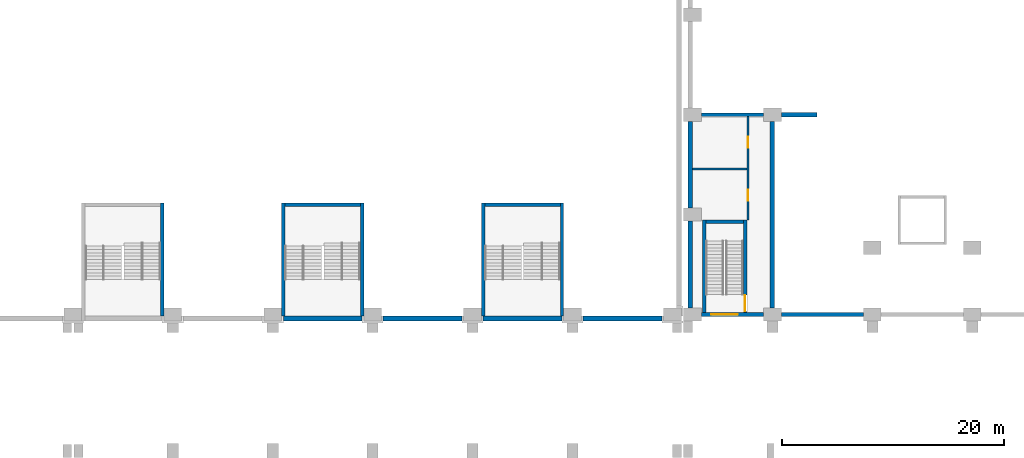
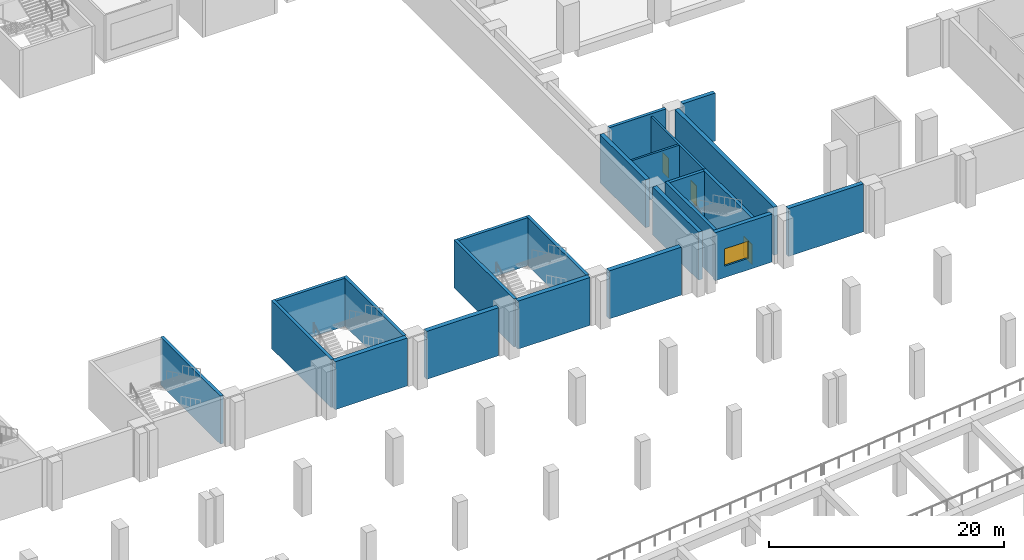
# One storey, part 35 of 67: 23 walls, 3 doors, 1 window, 4 openings.
"""IFC4 building model written with IfcOpenShell, lengths in metres."""

from ifc_helpers import new_model, si_unit, direction, frame, frame_2d, origin, place, context, subcontext, project, spatial, rectangle, extrude, material, layer, layer_set, type_object, element, fill, save


model = new_model("IFC4")

# Units and contexts
model_context = context("Model", 3, precision=1e-05, world=origin(), true_north=direction((0.0, 1.0)))
body_context = subcontext(model_context, "Body", "Model", "MODEL_VIEW")
ifc_project = project(units=[si_unit("LENGTHUNIT", "METRE"), si_unit("AREAUNIT", "SQUARE_METRE"), si_unit("VOLUMEUNIT", "CUBIC_METRE"), si_unit("PLANEANGLEUNIT", "RADIAN"), si_unit("MASSUNIT", "GRAM", prefix="KILO")], contexts=[model_context])

# Site, building, storey
site_placement = place(None, origin())
site = spatial("IfcSite", under=ifc_project, at=site_placement, CompositionType="ELEMENT")
building_placement = place(site_placement, origin())
building = spatial("IfcBuilding", under=site, at=building_placement, Name="Aravalli Gate Trade Fair Centre", CompositionType="ELEMENT")
storey_placement = place(building_placement, frame((0.0, 0.0, 5.0)))
storey = spatial("IfcBuildingStorey", under=building, at=storey_placement, Name="L01", CompositionType="ELEMENT", Elevation=5.0)

# Walls
ifc_material_1 = material(Name="Concrete M40", Category="concrete")
ifc_layer_1 = layer(ifc_material_1, 0.300048828125)
ifc_layer_set_1 = layer_set([ifc_layer_1], Name="Concrete M40")
wall_type_1 = type_object("IfcWallType", Name="Congress RC wall 300", PredefinedType="SHEAR", material=ifc_layer_set_1)
wall_1_placement = place(storey_placement, frame((107.60009765625, 64.0, 0.0), z_axis=(0.0, 0.0, 1.0), x_axis=(1.0, 0.0, 0.0)))
element("IfcWall", 1, at=wall_1_placement, inside=storey, type_object=wall_type_1, Name="Stage wing north wall W L01", PredefinedType="SHEAR", context=body_context, shape_type="SweptSolid", body=[
    extrude(rectangle(XDim=5.599853515625, YDim=0.300048828125, at=frame_2d((2.7998046875, 0.0))), origin(), (0.0, 0.0, 1.0), 5.0),
])
wall_2_placement = place(storey_placement, frame((107.85009765625, 46.199951171875, 0.0), z_axis=(0.0, 0.0, 1.0), x_axis=(0.0, 1.0, 0.0)))
element("IfcWall", 2, at=wall_2_placement, inside=storey, type_object=wall_type_1, Name="Stage Stair West wall W L01", PredefinedType="SHEAR", context=body_context, shape_type="SweptSolid", body=[
    extrude(rectangle(XDim=8.300048828125, YDim=0.300048828125, at=frame_2d((4.14990234375, 0.0))), origin(), (0.0, 0.0, 1.0), 5.0),
])

# Wall, opening, door
wall_3_placement = place(storey_placement, frame((111.550048828125, 46.199951171875, 0.0), z_axis=(0.0, 0.0, 1.0), x_axis=(0.0, 1.0, 0.0)))
wall_3 = element("IfcWall", 3, at=wall_3_placement, inside=storey, type_object=wall_type_1, Name="Stage Stair West wall E L01", PredefinedType="SHEAR", context=body_context, shape_type="SweptSolid", body=[
    extrude(rectangle(XDim=8.300048828125, YDim=0.300048828125, at=frame_2d((4.14990234375, 0.0))), origin(), (0.0, 0.0, 1.0), 5.0),
])
opening_1_placement = place(wall_3_placement, frame((0.0849609375, 0.0, 0.0)))
opening_1 = element("IfcOpeningElement", 4, at=opening_1_placement, cuts=wall_3, Name="Opening G-L01-05", PredefinedType="OPENING", context=body_context, shape_type="SweptSolid", body=[
    extrude(rectangle(XDim=1.449951171875, YDim=2.10009765625, at=frame_2d((0.72509765625, 1.050048828125))), frame((0.0, 0.159912109375, 0.0), z_axis=(0.0, -1.0, 0.0), x_axis=(1.0, 0.0, 0.0)), (0.0, 0.0, 1.0), 0.320068359375),
])
ifc_material_2 = material(Name="Steel, fire rated", Category="steel")
door_type_1 = type_object("IfcDoorType", Name="Congress fire door FD120 1450 x 2100", OperationType="SINGLE_SWING_LEFT", PredefinedType="DOOR", material=ifc_material_2)
door_1_placement = place(opening_1_placement, origin())
door_1 = element("IfcDoor", 5, at=door_1_placement, inside=storey, type_object=door_type_1, Name="Stage Stair West door L01", OperationType="SINGLE_SWING_LEFT", OverallHeight=2.10009765625, OverallWidth=1.449951171875, PredefinedType="DOOR", context=body_context, shape_type="SweptSolid", body=[
    extrude(rectangle(XDim=1.449951171875, YDim=2.10009765625, at=frame_2d((0.72509765625, 1.050048828125))), frame((0.0, 0.02490234375, 0.0), z_axis=(0.0, -1.0, 0.0), x_axis=(1.0, 0.0, 0.0)), (0.0, 0.0, 1.0), 0.050048828125),
])
fill(opening_1, door_1)

# Walls
wall_4_placement = place(storey_placement, frame((108.0, 54.35009765625, 0.0), z_axis=(0.0, 0.0, 1.0), x_axis=(1.0, 0.0, 0.0)))
element("IfcWall", 6, at=wall_4_placement, inside=storey, type_object=wall_type_1, Name="Stage Stair West wall N L01", PredefinedType="SHEAR", context=body_context, shape_type="SweptSolid", body=[
    extrude(rectangle(XDim=3.39990234375, YDim=0.300048828125, at=frame_2d((1.699951171875, 0.0))), origin(), (0.0, 0.0, 1.0), 5.0),
])
ifc_layer_2 = layer(ifc_material_1, 0.39990234375)
ifc_layer_set_2 = layer_set([ifc_layer_2], Name="Concrete M40")
wall_type_2 = type_object("IfcWallType", Name="Congress RC wall 400", PredefinedType="SHEAR", material=ifc_layer_set_2)
wall_5_placement = place(storey_placement, frame((114.0, 46.60009765625, 0.0), z_axis=(0.0, 0.0, 1.0), x_axis=(0.0, 1.0, 0.0)))
element("IfcWall", 7, at=wall_5_placement, inside=storey, type_object=wall_type_2, Name="Stage house wall line 114 L01", PredefinedType="SHEAR", context=body_context, shape_type="SweptSolid", body=[
    extrude(rectangle(XDim=16.7998046875, YDim=0.39990234375, at=frame_2d((8.39990234375, 0.0))), origin(), (0.0, 0.0, 1.0), 5.0),
])
wall_6_placement = place(storey_placement, frame((114.800048828125, 64.0, 0.0), z_axis=(0.0, 0.0, 1.0), x_axis=(1.0, 0.0, 0.0)))
element("IfcWall", 8, at=wall_6_placement, inside=storey, type_object=wall_type_2, Name="Proscenium wall W L01", PredefinedType="SHEAR", context=body_context, shape_type="SweptSolid", body=[
    extrude(rectangle(XDim=3.199951171875, YDim=0.39990234375, at=frame_2d((1.60009765625, 0.0))), origin(), (0.0, 0.0, 1.0), 5.0),
])
ifc_layer_3 = layer(ifc_material_1, 0.25, Name="Structural wall")
ifc_material_3 = material(Name="Ventilated air cavity")
ifc_layer_4 = layer(ifc_material_3, 0.050048828125, ventilated=True, Name="Ventilated cavity")
ifc_material_4 = material(Name="Terracotta rainscreen", Category="masonry")
ifc_layer_5 = layer(ifc_material_4, 0.10009765625, Name="Rainscreen cladding")
ifc_layer_set_3 = layer_set([ifc_layer_3, ifc_layer_4, ifc_layer_5], Name="Congress external wall 400")
wall_type_3 = type_object("IfcWallType", Name="Congress external wall 400", PredefinedType="SOLIDWALL", material=ifc_layer_set_3)
for number, where, z_axis, x_axis, name in (
    (9, (106.60009765625, 46.60009765625, 0.0), (0.0, 0.0, 1.0), (0.0, 1.0, 0.0), "West wall L01 bay 1"),
    (10, (106.60009765625, 55.60009765625, 0.0), (0.0, 0.0, 1.0), (0.0, 1.0, 0.0), "West wall L01 bay 2"),
):
    element("IfcWall", number, at=place(storey_placement, frame(where, z_axis=z_axis, x_axis=x_axis)), inside=storey, type_object=wall_type_3, Name=name, PredefinedType="SOLIDWALL", context=body_context, shape_type="SweptSolid", body=[
        extrude(rectangle(XDim=7.7998046875, YDim=0.39990234375, at=frame_2d((3.89990234375, 0.0))), origin(), (0.0, 0.0, 1.0), 5.0),
    ])

# Wall, opening, window
wall_7_placement = place(storey_placement, frame((107.60009765625, 46.0, 0.0), z_axis=(0.0, 0.0, 1.0), x_axis=(1.0, 0.0, 0.0)))
wall_7 = element("IfcWall", 11, at=wall_7_placement, inside=storey, type_object=wall_type_3, Name="South wall L01 bay 1", PredefinedType="SOLIDWALL", context=body_context, shape_type="SweptSolid", body=[
    extrude(rectangle(XDim=5.599853515625, YDim=0.39990234375, at=frame_2d((2.7998046875, 0.0))), origin(), (0.0, 0.0, 1.0), 5.0),
])
opening_2_placement = place(wall_7_placement, frame((0.89990234375, 0.0, 1.199951171875)))
opening_2 = element("IfcOpeningElement", 12, at=opening_2_placement, cuts=wall_7, Name="Opening GWN4", PredefinedType="OPENING", context=body_context, shape_type="SweptSolid", body=[
    extrude(rectangle(XDim=2.39990234375, YDim=1.800048828125, at=frame_2d((1.199951171875, 0.89990234375))), frame((0.0, 0.2099609375, 0.0), z_axis=(0.0, -1.0, 0.0), x_axis=(1.0, 0.0, 0.0)), (0.0, 0.0, 1.0), 0.419921875),
])
ifc_material_5 = material(Name="Aluminium and glass", Category="aluminium")
window_type = type_object("IfcWindowType", Name="Congress wing window 2400 x 1800", PartitioningType="DOUBLE_PANEL_VERTICAL", PredefinedType="WINDOW", material=ifc_material_5)
window_placement = place(opening_2_placement, origin())
window = element("IfcWindow", 13, at=window_placement, inside=storey, type_object=window_type, Name="South window L01 bay 1", OverallHeight=1.800048828125, OverallWidth=2.39990234375, PartitioningType="SINGLE_PANEL", PredefinedType="WINDOW", context=body_context, shape_type="SweptSolid", body=[
    extrude(rectangle(XDim=2.39990234375, YDim=1.800048828125, at=frame_2d((1.199951171875, 0.89990234375))), frame((0.0, 0.030029296875, 0.0), z_axis=(0.0, -1.0, 0.0), x_axis=(1.0, 0.0, 0.0)), (0.0, 0.0, 1.0), 0.06005859375),
])
fill(opening_2, window)

# Wall
wall_8_placement = place(storey_placement, frame((114.800048828125, 46.0, 0.0), z_axis=(0.0, 0.0, 1.0), x_axis=(1.0, 0.0, 0.0)))
element("IfcWall", 14, at=wall_8_placement, inside=storey, type_object=wall_type_3, Name="South wall L01 bay 2", PredefinedType="SOLIDWALL", context=body_context, shape_type="SweptSolid", body=[
    extrude(rectangle(XDim=7.39990234375, YDim=0.39990234375, at=frame_2d((3.699951171875, 0.0))), origin(), (0.0, 0.0, 1.0), 5.0),
])

# Wall, openings, doors
ifc_material_6 = material(Name="Concrete block masonry", Category="masonry")
ifc_layer_6 = layer(ifc_material_6, 0.199951171875)
ifc_layer_set_4 = layer_set([ifc_layer_6], Name="Concrete block masonry")
wall_type_4 = type_object("IfcWallType", Name="Congress partition 200", PredefinedType="PARTITIONING", material=ifc_layer_set_4)
wall_9_placement = place(storey_placement, frame((111.800048828125, 54.5, 0.0), z_axis=(0.0, 0.0, 1.0), x_axis=(0.0, 1.0, 0.0)))
wall_9 = element("IfcWall", 15, at=wall_9_placement, inside=storey, type_object=wall_type_4, Name="Wing partition W L01", PredefinedType="PARTITIONING", context=body_context, shape_type="SweptSolid", body=[
    extrude(rectangle(XDim=9.35009765625, YDim=0.199951171875, at=frame_2d((4.675048828125, 0.0))), origin(), (0.0, 0.0, 1.0), 4.699951171875),
])
opening_3_placement = place(wall_9_placement, frame((1.75, 0.0, 0.0)))
opening_3 = element("IfcOpeningElement", 16, at=opening_3_placement, cuts=wall_9, Name="Opening G-L01-20", PredefinedType="OPENING", context=body_context, shape_type="SweptSolid", body=[
    extrude(rectangle(XDim=1.0, YDim=2.10009765625, at=frame_2d((0.5, 1.050048828125))), frame((0.0, 0.10986328125, 0.0), z_axis=(0.0, -1.0, 0.0), x_axis=(1.0, 0.0, 0.0)), (0.0, 0.0, 1.0), 0.219970703125),
])
opening_4_placement = place(wall_9_placement, frame((6.52490234375, 0.0, 0.0)))
opening_4 = element("IfcOpeningElement", 17, at=opening_4_placement, cuts=wall_9, Name="Opening G-L01-21", PredefinedType="OPENING", context=body_context, shape_type="SweptSolid", body=[
    extrude(rectangle(XDim=1.0, YDim=2.10009765625, at=frame_2d((0.5, 1.050048828125))), frame((0.0, 0.10986328125, 0.0), z_axis=(0.0, -1.0, 0.0), x_axis=(1.0, 0.0, 0.0)), (0.0, 0.0, 1.0), 0.219970703125),
])
door_type_2 = type_object("IfcDoorType", Name="Congress fire door FD60 1000 x 2100", OperationType="SINGLE_SWING_LEFT", PredefinedType="DOOR", material=ifc_material_2)
door_2_placement = place(opening_3_placement, origin())
door_2 = element("IfcDoor", 18, at=door_2_placement, inside=storey, type_object=door_type_2, Name="Wing room door W L01 a", OperationType="SINGLE_SWING_LEFT", OverallHeight=2.10009765625, OverallWidth=1.0, PredefinedType="DOOR", context=body_context, shape_type="SweptSolid", body=[
    extrude(rectangle(XDim=1.0, YDim=2.10009765625, at=frame_2d((0.5, 1.050048828125))), frame((0.0, 0.02490234375, 0.0), z_axis=(0.0, -1.0, 0.0), x_axis=(1.0, 0.0, 0.0)), (0.0, 0.0, 1.0), 0.050048828125),
])
fill(opening_3, door_2)
door_3_placement = place(opening_4_placement, origin())
door_3 = element("IfcDoor", 19, at=door_3_placement, inside=storey, type_object=door_type_2, Name="Wing room door W L01 b", OperationType="SINGLE_SWING_RIGHT", OverallHeight=2.10009765625, OverallWidth=1.0, PredefinedType="DOOR", context=body_context, shape_type="SweptSolid", body=[
    extrude(rectangle(XDim=1.0, YDim=2.10009765625, at=frame_2d((0.5, 1.050048828125))), frame((0.0, 0.02490234375, 0.0), z_axis=(0.0, -1.0, 0.0), x_axis=(1.0, 0.0, 0.0)), (0.0, 0.0, 1.0), 0.050048828125),
])
fill(opening_4, door_3)

# Walls
wall_10_placement = place(storey_placement, frame((106.800048828125, 59.10009765625, 0.0), z_axis=(0.0, 0.0, 1.0), x_axis=(1.0, 0.0, 0.0)))
element("IfcWall", 20, at=wall_10_placement, inside=storey, type_object=wall_type_4, Name="Wing room partition W L01", PredefinedType="PARTITIONING", context=body_context, shape_type="SweptSolid", body=[
    extrude(rectangle(XDim=4.89990234375, YDim=0.199951171875, at=frame_2d((2.449951171875, 0.0))), origin(), (0.0, 0.0, 1.0), 4.699951171875),
])
ifc_layer_7 = layer(ifc_material_1, 0.25, Name="Structural wall")
ifc_layer_8 = layer(ifc_material_3, 0.10009765625, ventilated=True, Name="Ventilated cavity")
ifc_layer_9 = layer(ifc_material_4, 0.10009765625, Name="Rainscreen cladding")
ifc_layer_set_5 = layer_set([ifc_layer_7, ifc_layer_8, ifc_layer_9], Name="Hall external wall 450")
wall_type_5 = type_object("IfcWallType", Name="Hall external wall 450", PredefinedType="SOLIDWALL", material=ifc_layer_set_5)
for number, where, z_axis, x_axis, name in (
    (21, (69.949951171875, 45.625, 0.0), (0.0, 0.0, 1.0), (1.0, 0.0, 0.0), "Hall south wall bay 8 L01"),
    (22, (78.949951171875, 45.625, 0.0), (0.0, 0.0, 1.0), (1.0, 0.0, 0.0), "Hall south wall bay 9 L01"),
    (23, (87.949951171875, 45.625, 0.0), (0.0, 0.0, 1.0), (1.0, 0.0, 0.0), "Hall south wall bay 10 L01"),
    (24, (96.949951171875, 45.625, 0.0), (0.0, 0.0, 1.0), (1.0, 0.0, 0.0), "Hall south wall bay 11 L01"),
):
    element("IfcWall", number, at=place(storey_placement, frame(where, z_axis=z_axis, x_axis=x_axis)), inside=storey, type_object=wall_type_5, Name=name, PredefinedType="SOLIDWALL", context=body_context, shape_type="SweptSolid", body=[
        extrude(rectangle(XDim=7.10009765625, YDim=0.449951171875, at=frame_2d((3.550048828125, 0.0))), origin(), (0.0, 0.0, 1.0), 5.0),
    ])
ifc_layer_10 = layer(ifc_material_1, 0.300048828125)
ifc_layer_set_6 = layer_set([ifc_layer_10], Name="Concrete M40")
wall_type_6 = type_object("IfcWallType", Name="Stair tower wall RC 300", PredefinedType="SHEAR", material=ifc_layer_set_6)
for number, where, z_axis, x_axis, name in (
    (25, (59.050048828125, 45.85009765625, 0.0), (0.0, 0.0, 1.0), (0.0, 1.0, 0.0), "Stair tower S06 wall E L01"),
    (26, (69.949951171875, 45.85009765625, 0.0), (0.0, 0.0, 1.0), (0.0, 1.0, 0.0), "Stair tower S08 wall W L01"),
    (27, (77.050048828125, 45.85009765625, 0.0), (0.0, 0.0, 1.0), (0.0, 1.0, 0.0), "Stair tower S08 wall E L01"),
):
    element("IfcWall", number, at=place(storey_placement, frame(where, z_axis=z_axis, x_axis=x_axis)), inside=storey, type_object=wall_type_6, Name=name, PredefinedType="SHEAR", context=body_context, shape_type="SweptSolid", body=[
        extrude(rectangle(XDim=10.199951171875, YDim=0.300048828125, at=frame_2d((5.10009765625, 0.0))), origin(), (0.0, 0.0, 1.0), 5.0),
    ])
wall_11_placement = place(storey_placement, frame((70.10009765625, 55.89990234375, 0.0), z_axis=(0.0, 0.0, 1.0), x_axis=(1.0, 0.0, 0.0)))
element("IfcWall", 28, at=wall_11_placement, inside=storey, type_object=wall_type_6, Name="Stair tower S08 wall F L01", PredefinedType="SHEAR", context=body_context, shape_type="SweptSolid", body=[
    extrude(rectangle(XDim=6.7998046875, YDim=0.300048828125, at=frame_2d((3.39990234375, 0.0))), origin(), (0.0, 0.0, 1.0), 5.0),
])
for number, where, z_axis, x_axis, name in (
    (29, (87.949951171875, 45.85009765625, 0.0), (0.0, 0.0, 1.0), (0.0, 1.0, 0.0), "Stair tower S10 wall W L01"),
    (30, (95.050048828125, 45.85009765625, 0.0), (0.0, 0.0, 1.0), (0.0, 1.0, 0.0), "Stair tower S10 wall E L01"),
):
    element("IfcWall", number, at=place(storey_placement, frame(where, z_axis=z_axis, x_axis=x_axis)), inside=storey, type_object=wall_type_6, Name=name, PredefinedType="SHEAR", context=body_context, shape_type="SweptSolid", body=[
        extrude(rectangle(XDim=10.199951171875, YDim=0.300048828125, at=frame_2d((5.10009765625, 0.0))), origin(), (0.0, 0.0, 1.0), 5.0),
    ])
wall_12_placement = place(storey_placement, frame((88.10009765625, 55.89990234375, 0.0), z_axis=(0.0, 0.0, 1.0), x_axis=(1.0, 0.0, 0.0)))
element("IfcWall", 31, at=wall_12_placement, inside=storey, type_object=wall_type_6, Name="Stair tower S10 wall F L01", PredefinedType="SHEAR", context=body_context, shape_type="SweptSolid", body=[
    extrude(rectangle(XDim=6.7998046875, YDim=0.300048828125, at=frame_2d((3.39990234375, 0.0))), origin(), (0.0, 0.0, 1.0), 5.0),
])

save(model, "model.ifc")
